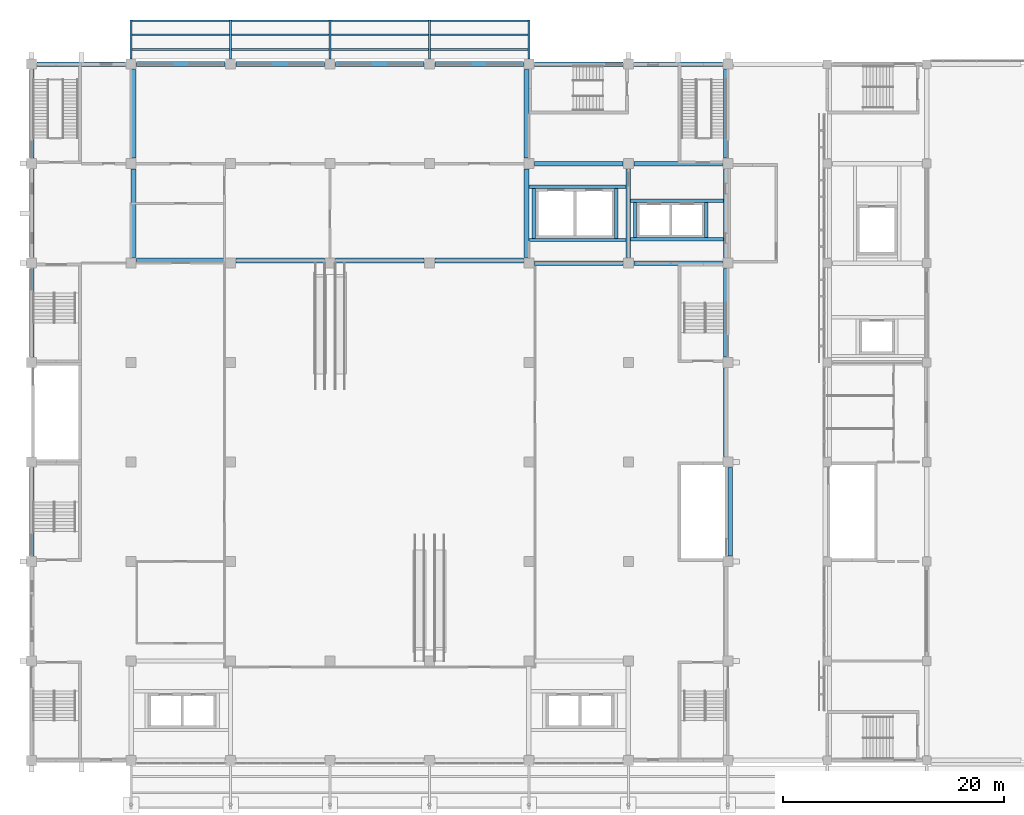
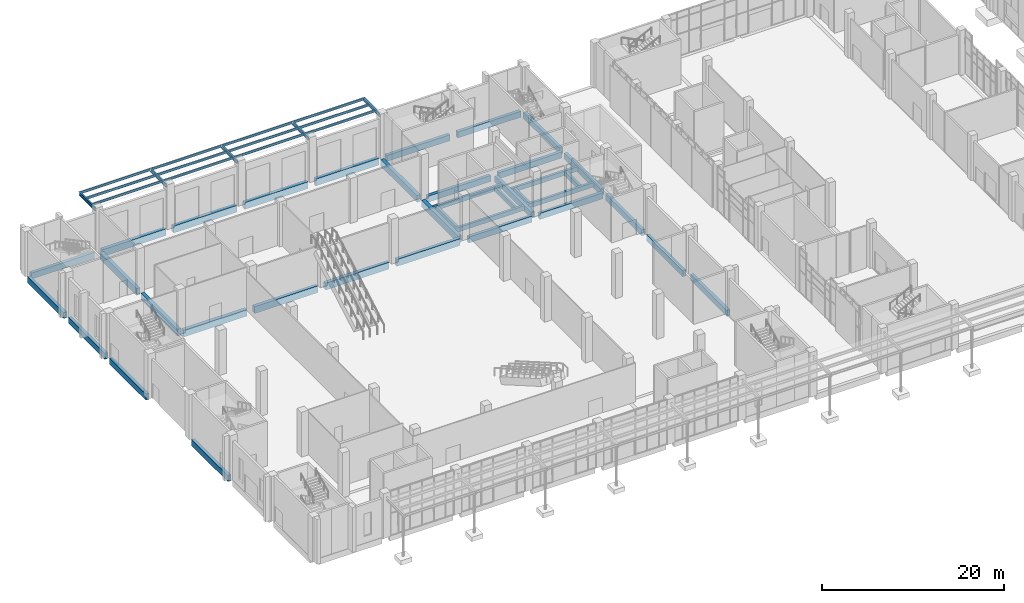
# One storey, part 18 of 86: 54 beams.
"""IFC4 building model written with IfcOpenShell, lengths in metres."""

from ifc_helpers import new_model, si_unit, direction, frame, origin, origin_2d, place, context, subcontext, project, spatial, rectangle, i_section, extrude, material, material_profile, profile_set, type_object, element, save


model = new_model("IFC4")

# Units and contexts
model_context = context("Model", 3, precision=1e-05, world=origin(), true_north=direction((0.0, 1.0)))
body_context = subcontext(model_context, "Body", "Model", "MODEL_VIEW")
ifc_project = project(units=[si_unit("LENGTHUNIT", "METRE"), si_unit("AREAUNIT", "SQUARE_METRE"), si_unit("VOLUMEUNIT", "CUBIC_METRE"), si_unit("PLANEANGLEUNIT", "RADIAN"), si_unit("MASSUNIT", "GRAM", prefix="KILO")], contexts=[model_context])

# Site, building, storey
site_placement = place(None, origin())
site = spatial("IfcSite", under=ifc_project, at=site_placement, CompositionType="ELEMENT")
building_placement = place(site_placement, origin())
building = spatial("IfcBuilding", under=site, at=building_placement, Name="Guidao Yard Department Store", CompositionType="ELEMENT")
storey_placement = place(building_placement, origin())
storey = spatial("IfcBuildingStorey", under=building, at=storey_placement, Name="L00", CompositionType="ELEMENT", Elevation=0.0)

# Beams
ifc_material_1 = material(Name="Steel Q355B", Category="steel")
ifc_material_profile_1 = material_profile(ifc_material_1, i_section(OverallWidth=0.14990234375, OverallDepth=0.300048828125, WebThickness=0.006591796875, FlangeThickness=0.009033203125, FilletRadius=0.012939453125, at=origin_2d()), Name="HN 300x150x6.5x9")
ifc_profile_set_1 = profile_set([ifc_material_profile_1], Name="Steel Q355B")
beam_type_1 = type_object("IfcBeamType", Name="Canopy beam HN 300x150x6.5x9", PredefinedType="BEAM", material=ifc_profile_set_1)
beam_1_placement = place(storey_placement, frame((9.10009765625, 111.925048828125, 5.300048828125), z_axis=(1.0, 0.0, 0.0), x_axis=(0.0, 1.0, 0.0)))
element("IfcBeam", 1, at=beam_1_placement, inside=storey, type_object=beam_type_1, Name="Canopy edge beam DK-1", PredefinedType="BEAM", context=body_context, shape_type="SweptSolid", body=[
    extrude(i_section(OverallWidth=0.14990234375, OverallDepth=0.300048828125, WebThickness=0.006591796875, FlangeThickness=0.009033203125, FilletRadius=0.012939453125, at=origin_2d()), origin(), (0.0, 0.0, 1.0), 8.7998046875),
])
for number, where, z_axis, x_axis, name in (
    (2, (9.10009765625, 109.333251953125, 5.300048828125), (1.0, 0.0, 0.0), (0.0, 1.0, 0.0), "Canopy joist DK-1.1"),
    (3, (9.10009765625, 110.666748046875, 5.300048828125), (1.0, 0.0, 0.0), (0.0, 1.0, 0.0), "Canopy joist DK-1.2"),
):
    element("IfcBeam", number, at=place(storey_placement, frame(where, z_axis=z_axis, x_axis=x_axis)), inside=storey, type_object=beam_type_1, Name=name, PredefinedType="JOIST", context=body_context, shape_type="SweptSolid", body=[
        extrude(i_section(OverallWidth=0.14990234375, OverallDepth=0.300048828125, WebThickness=0.006591796875, FlangeThickness=0.009033203125, FilletRadius=0.012939453125, at=origin_2d()), origin(), (0.0, 0.0, 1.0), 8.7998046875),
    ])
beam_2_placement = place(storey_placement, frame((18.10009765625, 111.925048828125, 5.300048828125), z_axis=(1.0, 0.0, 0.0), x_axis=(0.0, 1.0, 0.0)))
element("IfcBeam", 4, at=beam_2_placement, inside=storey, type_object=beam_type_1, Name="Canopy edge beam DK-2", PredefinedType="BEAM", context=body_context, shape_type="SweptSolid", body=[
    extrude(i_section(OverallWidth=0.14990234375, OverallDepth=0.300048828125, WebThickness=0.006591796875, FlangeThickness=0.009033203125, FilletRadius=0.012939453125, at=origin_2d()), origin(), (0.0, 0.0, 1.0), 8.7998046875),
])
for number, where, z_axis, x_axis, name in (
    (5, (18.10009765625, 109.333251953125, 5.300048828125), (1.0, 0.0, 0.0), (0.0, 1.0, 0.0), "Canopy joist DK-2.1"),
    (6, (18.10009765625, 110.666748046875, 5.300048828125), (1.0, 0.0, 0.0), (0.0, 1.0, 0.0), "Canopy joist DK-2.2"),
):
    element("IfcBeam", number, at=place(storey_placement, frame(where, z_axis=z_axis, x_axis=x_axis)), inside=storey, type_object=beam_type_1, Name=name, PredefinedType="JOIST", context=body_context, shape_type="SweptSolid", body=[
        extrude(i_section(OverallWidth=0.14990234375, OverallDepth=0.300048828125, WebThickness=0.006591796875, FlangeThickness=0.009033203125, FilletRadius=0.012939453125, at=origin_2d()), origin(), (0.0, 0.0, 1.0), 8.7998046875),
    ])
beam_3_placement = place(storey_placement, frame((27.10009765625, 111.925048828125, 5.300048828125), z_axis=(1.0, 0.0, 0.0), x_axis=(0.0, 1.0, 0.0)))
element("IfcBeam", 7, at=beam_3_placement, inside=storey, type_object=beam_type_1, Name="Canopy edge beam DK-3", PredefinedType="BEAM", context=body_context, shape_type="SweptSolid", body=[
    extrude(i_section(OverallWidth=0.14990234375, OverallDepth=0.300048828125, WebThickness=0.006591796875, FlangeThickness=0.009033203125, FilletRadius=0.012939453125, at=origin_2d()), origin(), (0.0, 0.0, 1.0), 8.7998046875),
])
for number, where, z_axis, x_axis, name in (
    (8, (27.10009765625, 109.333251953125, 5.300048828125), (1.0, 0.0, 0.0), (0.0, 1.0, 0.0), "Canopy joist DK-3.1"),
    (9, (27.10009765625, 110.666748046875, 5.300048828125), (1.0, 0.0, 0.0), (0.0, 1.0, 0.0), "Canopy joist DK-3.2"),
):
    element("IfcBeam", number, at=place(storey_placement, frame(where, z_axis=z_axis, x_axis=x_axis)), inside=storey, type_object=beam_type_1, Name=name, PredefinedType="JOIST", context=body_context, shape_type="SweptSolid", body=[
        extrude(i_section(OverallWidth=0.14990234375, OverallDepth=0.300048828125, WebThickness=0.006591796875, FlangeThickness=0.009033203125, FilletRadius=0.012939453125, at=origin_2d()), origin(), (0.0, 0.0, 1.0), 8.7998046875),
    ])
beam_4_placement = place(storey_placement, frame((36.10009765625, 111.925048828125, 5.300048828125), z_axis=(1.0, 0.0, 0.0), x_axis=(0.0, 1.0, 0.0)))
element("IfcBeam", 10, at=beam_4_placement, inside=storey, type_object=beam_type_1, Name="Canopy edge beam DK-4", PredefinedType="BEAM", context=body_context, shape_type="SweptSolid", body=[
    extrude(i_section(OverallWidth=0.14990234375, OverallDepth=0.300048828125, WebThickness=0.006591796875, FlangeThickness=0.009033203125, FilletRadius=0.012939453125, at=origin_2d()), origin(), (0.0, 0.0, 1.0), 8.7998046875),
])
for number, where, z_axis, x_axis, name in (
    (11, (36.10009765625, 109.333251953125, 5.300048828125), (1.0, 0.0, 0.0), (0.0, 1.0, 0.0), "Canopy joist DK-4.1"),
    (12, (36.10009765625, 110.666748046875, 5.300048828125), (1.0, 0.0, 0.0), (0.0, 1.0, 0.0), "Canopy joist DK-4.2"),
):
    element("IfcBeam", number, at=place(storey_placement, frame(where, z_axis=z_axis, x_axis=x_axis)), inside=storey, type_object=beam_type_1, Name=name, PredefinedType="JOIST", context=body_context, shape_type="SweptSolid", body=[
        extrude(i_section(OverallWidth=0.14990234375, OverallDepth=0.300048828125, WebThickness=0.006591796875, FlangeThickness=0.009033203125, FilletRadius=0.012939453125, at=origin_2d()), origin(), (0.0, 0.0, 1.0), 8.7998046875),
    ])
ifc_material_2 = material(Name="Concrete C40", Category="concrete")
ifc_material_profile_2 = material_profile(ifc_material_2, rectangle(XDim=0.449951171875, YDim=0.89990234375, at=origin_2d()), Name="Dock edge beam 450 x 900 C40")
ifc_profile_set_2 = profile_set([ifc_material_profile_2], Name="Concrete C40")
beam_type_2 = type_object("IfcBeamType", Name="Dock edge beam 450 x 900 C40", PredefinedType="BEAM", material=ifc_profile_set_2)
for number, where, z_axis, x_axis, name in (
    (13, (44.77490234375, 90.5, -0.449951171875), (0.0, 1.0, 0.0), (-1.0, 0.0, 0.0), "Beam EB01"),
    (14, (44.77490234375, 99.5, -0.449951171875), (0.0, 1.0, 0.0), (-1.0, 0.0, 0.0), "Beam EB02"),
    (15, (9.5, 90.22509765625, -0.449951171875), (1.0, 0.0, 0.0), (0.0, 1.0, 0.0), "Beam EB03"),
    (16, (18.5, 90.22509765625, -0.449951171875), (1.0, 0.0, 0.0), (0.0, 1.0, 0.0), "Beam EB04"),
    (17, (27.5, 90.22509765625, -0.449951171875), (1.0, 0.0, 0.0), (0.0, 1.0, 0.0), "Beam EB05"),
    (18, (36.5, 90.22509765625, -0.449951171875), (1.0, 0.0, 0.0), (0.0, 1.0, 0.0), "Beam EB06"),
    (19, (9.22509765625, 90.5, -0.449951171875), (0.0, 1.0, 0.0), (-1.0, 0.0, 0.0), "Beam EB07"),
    (20, (9.22509765625, 99.5, -0.449951171875), (0.0, 1.0, 0.0), (-1.0, 0.0, 0.0), "Beam EB08"),
):
    element("IfcBeam", number, at=place(storey_placement, frame(where, z_axis=z_axis, x_axis=x_axis)), inside=storey, type_object=beam_type_2, Name=name, PredefinedType="BEAM", context=body_context, shape_type="SweptSolid", body=[
        extrude(rectangle(XDim=0.449951171875, YDim=0.89990234375, at=origin_2d()), origin(), (0.0, 0.0, 1.0), 8.0),
    ])
ifc_material_3 = material(Name="Concrete C40", Category="concrete")
ifc_material_profile_3 = material_profile(ifc_material_3, rectangle(XDim=0.449951171875, YDim=0.89990234375, at=origin_2d()), Name="Dock spandrel beam 450 x 900 C40")
ifc_profile_set_3 = profile_set([ifc_material_profile_3], Name="Concrete C40")
beam_type_3 = type_object("IfcBeamType", Name="Dock spandrel beam 450 x 900 C40", PredefinedType="SPANDREL", material=ifc_profile_set_3)
for number, where, z_axis, x_axis, name in (
    (21, (9.5, 108.0, -0.449951171875), (1.0, 0.0, 0.0), (0.0, 1.0, 0.0), "Beam EB09"),
    (22, (18.5, 108.0, -0.449951171875), (1.0, 0.0, 0.0), (0.0, 1.0, 0.0), "Beam EB10"),
    (23, (27.5, 108.0, -0.449951171875), (1.0, 0.0, 0.0), (0.0, 1.0, 0.0), "Beam EB11"),
    (24, (36.5, 108.0, -0.449951171875), (1.0, 0.0, 0.0), (0.0, 1.0, 0.0), "Beam EB12"),
):
    element("IfcBeam", number, at=place(storey_placement, frame(where, z_axis=z_axis, x_axis=x_axis)), inside=storey, type_object=beam_type_3, Name=name, PredefinedType="SPANDREL", context=body_context, shape_type="SweptSolid", body=[
        extrude(rectangle(XDim=0.449951171875, YDim=0.89990234375, at=origin_2d()), origin(), (0.0, 0.0, 1.0), 8.0),
    ])
ifc_material_4 = material(Name="Concrete C40", Category="concrete")
ifc_material_profile_4 = material_profile(ifc_material_4, rectangle(XDim=0.39990234375, YDim=0.800048828125, at=origin_2d()), Name="Edge beam 400 x 800 C40")
ifc_profile_set_4 = profile_set([ifc_material_profile_4], Name="Concrete C40")
beam_type_4 = type_object("IfcBeamType", Name="Edge beam 400 x 800 C40", PredefinedType="BEAM", material=ifc_profile_set_4)
for number, where, z_axis, x_axis, name in (
    (25, (45.5, 90.0, -0.39990234375), (1.0, 0.0, 0.0), (0.0, 1.0, 0.0), "Beam EB96"),
    (26, (45.5, 99.0, -0.39990234375), (1.0, 0.0, 0.0), (0.0, 1.0, 0.0), "Beam EB97"),
    (27, (54.0, 90.5, -0.39990234375), (0.0, 1.0, 0.0), (-1.0, 0.0, 0.0), "Beam EB98"),
    (28, (54.5, 90.0, -0.39990234375), (1.0, 0.0, 0.0), (0.0, 1.0, 0.0), "Beam EB99"),
    (29, (54.5, 99.0, -0.39990234375), (1.0, 0.0, 0.0), (0.0, 1.0, 0.0), "Beam EB100"),
):
    element("IfcBeam", number, at=place(storey_placement, frame(where, z_axis=z_axis, x_axis=x_axis)), inside=storey, type_object=beam_type_4, Name=name, PredefinedType="BEAM", context=body_context, shape_type="SweptSolid", body=[
        extrude(rectangle(XDim=0.39990234375, YDim=0.800048828125, at=origin_2d()), origin(), (0.0, 0.0, 1.0), 8.0),
    ])
ifc_material_5 = material(Name="Steel Q355B", Category="steel")
ifc_material_profile_5 = material_profile(ifc_material_5, i_section(OverallWidth=0.199951171875, OverallDepth=0.449951171875, WebThickness=0.009033203125, FlangeThickness=0.013916015625, FilletRadius=0.012939453125, at=origin_2d()), Name="HN 450x200x9x14")
ifc_profile_set_5 = profile_set([ifc_material_profile_5], Name="Steel Q355B")
beam_type_5 = type_object("IfcBeamType", Name="HN 450x200x9x14", PredefinedType="BEAM", material=ifc_profile_set_5)
for number, where, z_axis, x_axis, name in (
    (30, (9.0, 108.449951171875, 5.22509765625), (0.0, 1.0, 0.0), (-1.0, 0.0, 0.0), "Canopy beam DK-1"),
    (31, (18.0, 108.449951171875, 5.22509765625), (0.0, 1.0, 0.0), (-1.0, 0.0, 0.0), "Canopy beam DK-2"),
    (32, (27.0, 108.449951171875, 5.22509765625), (0.0, 1.0, 0.0), (-1.0, 0.0, 0.0), "Canopy beam DK-3"),
    (33, (36.0, 108.449951171875, 5.22509765625), (0.0, 1.0, 0.0), (-1.0, 0.0, 0.0), "Canopy beam DK-4"),
    (34, (45.0, 108.449951171875, 5.22509765625), (0.0, 1.0, 0.0), (-1.0, 0.0, 0.0), "Canopy beam DK-5"),
):
    element("IfcBeam", number, at=place(storey_placement, frame(where, z_axis=z_axis, x_axis=x_axis)), inside=storey, type_object=beam_type_5, Name=name, PredefinedType="BEAM", context=body_context, shape_type="SweptSolid", body=[
        extrude(i_section(OverallWidth=0.199951171875, OverallDepth=0.449951171875, WebThickness=0.009033203125, FlangeThickness=0.013916015625, FilletRadius=0.012939453125, at=origin_2d()), origin(), (0.0, 0.0, 1.0), 3.550048828125),
    ])
ifc_material_6 = material(Name="Concrete C40", Category="concrete")
ifc_material_profile_6 = material_profile(ifc_material_6, rectangle(XDim=0.300048828125, YDim=0.60009765625, at=origin_2d()), Name="Opening beam 300 x 600 C40")
ifc_profile_set_6 = profile_set([ifc_material_profile_6], Name="Concrete C40")
beam_type_6 = type_object("IfcBeamType", Name="Opening beam 300 x 600 C40", PredefinedType="BEAM", material=ifc_profile_set_6)
for number, where, z_axis, x_axis, name in (
    (35, (45.0, 92.10009765625, -0.300048828125), (1.0, 0.0, 0.0), (0.0, 1.0, 0.0), "Beam OB09"),
    (36, (45.0, 96.89990234375, -0.300048828125), (1.0, 0.0, 0.0), (0.0, 1.0, 0.0), "Beam OB10"),
):
    element("IfcBeam", number, at=place(storey_placement, frame(where, z_axis=z_axis, x_axis=x_axis)), inside=storey, type_object=beam_type_6, Name=name, PredefinedType="BEAM", context=body_context, shape_type="SweptSolid", body=[
        extrude(rectangle(XDim=0.300048828125, YDim=0.60009765625, at=origin_2d()), origin(), (0.0, 0.0, 1.0), 8.800048828125),
    ])
for number, where, z_axis, x_axis, name in (
    (37, (45.449951171875, 92.25, -0.300048828125), (0.0, 1.0, 0.0), (-1.0, 0.0, 0.0), "Beam OB11"),
    (38, (52.89990234375, 92.25, -0.300048828125), (0.0, 1.0, 0.0), (-1.0, 0.0, 0.0), "Beam OB12"),
):
    element("IfcBeam", number, at=place(storey_placement, frame(where, z_axis=z_axis, x_axis=x_axis)), inside=storey, type_object=beam_type_6, Name=name, PredefinedType="BEAM", context=body_context, shape_type="SweptSolid", body=[
        extrude(rectangle(XDim=0.300048828125, YDim=0.60009765625, at=origin_2d()), origin(), (0.0, 0.0, 1.0), 4.5),
    ])
for number, where, z_axis, x_axis, name in (
    (39, (54.199951171875, 92.14990234375, -0.300048828125), (1.0, 0.0, 0.0), (0.0, 1.0, 0.0), "Beam OB13"),
    (40, (54.199951171875, 95.64990234375, -0.300048828125), (1.0, 0.0, 0.0), (0.0, 1.0, 0.0), "Beam OB14"),
):
    element("IfcBeam", number, at=place(storey_placement, frame(where, z_axis=z_axis, x_axis=x_axis)), inside=storey, type_object=beam_type_6, Name=name, PredefinedType="BEAM", context=body_context, shape_type="SweptSolid", body=[
        extrude(rectangle(XDim=0.300048828125, YDim=0.60009765625, at=origin_2d()), origin(), (0.0, 0.0, 1.0), 8.400146484375),
    ])
for number, where, z_axis, x_axis, name in (
    (41, (54.60009765625, 92.300048828125, -0.300048828125), (0.0, 1.0, 0.0), (-1.0, 0.0, 0.0), "Beam OB15"),
    (42, (61.050048828125, 92.300048828125, -0.300048828125), (0.0, 1.0, 0.0), (-1.0, 0.0, 0.0), "Beam OB16"),
):
    element("IfcBeam", number, at=place(storey_placement, frame(where, z_axis=z_axis, x_axis=x_axis)), inside=storey, type_object=beam_type_6, Name=name, PredefinedType="BEAM", context=body_context, shape_type="SweptSolid", body=[
        extrude(rectangle(XDim=0.300048828125, YDim=0.60009765625, at=origin_2d()), origin(), (0.0, 0.0, 1.0), 3.199951171875),
    ])
ifc_material_7 = material(Name="Concrete C40", Category="concrete")
ifc_material_profile_7 = material_profile(ifc_material_7, rectangle(XDim=0.39990234375, YDim=0.800048828125, at=origin_2d()), Name="Spandrel beam 400 x 800 C40")
ifc_profile_set_7 = profile_set([ifc_material_profile_7], Name="Concrete C40")
beam_type_7 = type_object("IfcBeamType", Name="Spandrel beam 400 x 800 C40", PredefinedType="SPANDREL", material=ifc_profile_set_7)
for number, where, z_axis, x_axis, name in (
    (43, (0.0, 81.5, -0.39990234375), (0.0, 1.0, 0.0), (-1.0, 0.0, 0.0), "Beam EB13"),
    (44, (0.0, 90.5, -0.39990234375), (0.0, 1.0, 0.0), (-1.0, 0.0, 0.0), "Beam EB14"),
    (45, (0.0, 99.5, -0.39990234375), (0.0, 1.0, 0.0), (-1.0, 0.0, 0.0), "Beam EB15"),
    (46, (0.5, 108.0, -0.39990234375), (1.0, 0.0, 0.0), (0.0, 1.0, 0.0), "Beam EB16"),
    (47, (45.5, 108.0, -0.39990234375), (1.0, 0.0, 0.0), (0.0, 1.0, 0.0), "Beam EB17"),
    (48, (54.5, 108.0, -0.39990234375), (1.0, 0.0, 0.0), (0.0, 1.0, 0.0), "Beam EB18"),
    (49, (62.800048828125, 72.5, -0.39990234375), (0.0, 1.0, 0.0), (-1.0, 0.0, 0.0), "Beam EB19"),
    (50, (62.800048828125, 81.5, -0.39990234375), (0.0, 1.0, 0.0), (-1.0, 0.0, 0.0), "Beam EB20"),
    (51, (62.800048828125, 90.5, -0.39990234375), (0.0, 1.0, 0.0), (-1.0, 0.0, 0.0), "Beam EB21"),
    (52, (62.800048828125, 99.5, -0.39990234375), (0.0, 1.0, 0.0), (-1.0, 0.0, 0.0), "Beam EB22"),
    (53, (0.0, 63.5, -0.39990234375), (0.0, 1.0, 0.0), (-1.0, 0.0, 0.0), "Beam EB34"),
    (54, (63.199951171875, 63.5, -0.39990234375), (0.0, 1.0, 0.0), (-1.0, 0.0, 0.0), "Beam EB70"),
):
    element("IfcBeam", number, at=place(storey_placement, frame(where, z_axis=z_axis, x_axis=x_axis)), inside=storey, type_object=beam_type_7, Name=name, PredefinedType="SPANDREL", context=body_context, shape_type="SweptSolid", body=[
        extrude(rectangle(XDim=0.39990234375, YDim=0.800048828125, at=origin_2d()), origin(), (0.0, 0.0, 1.0), 8.0),
    ])

save(model, "model.ifc")
